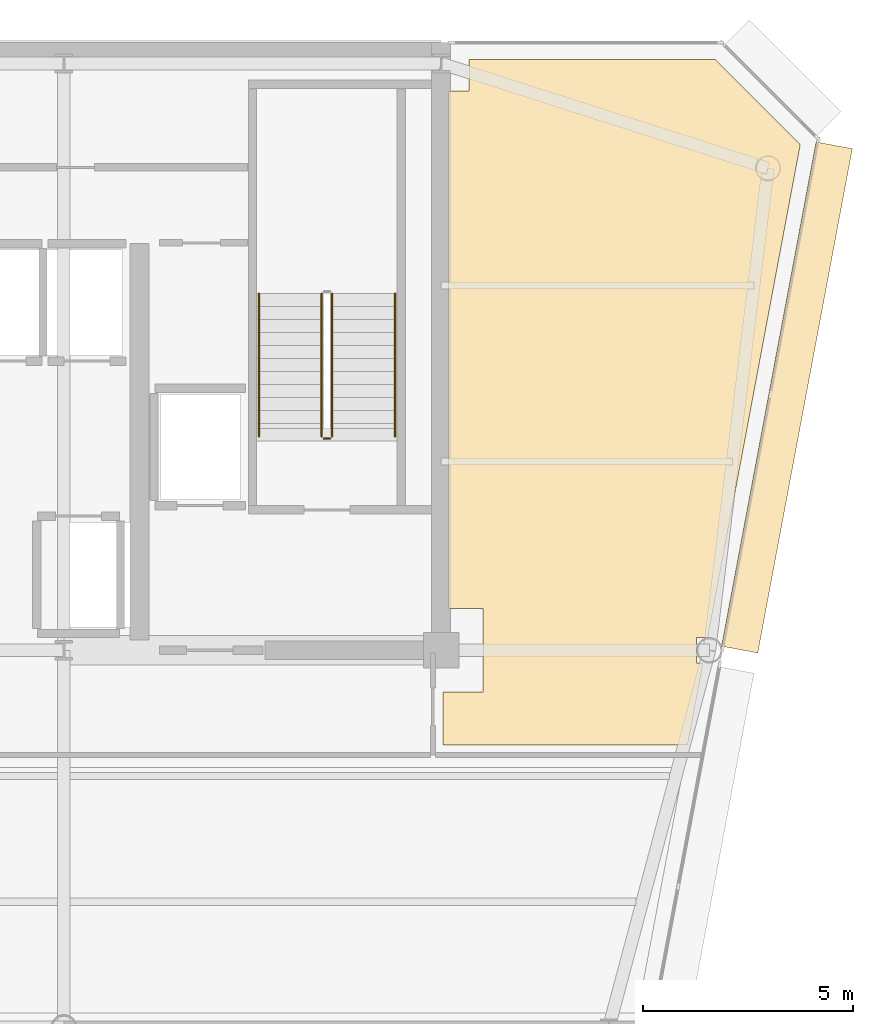
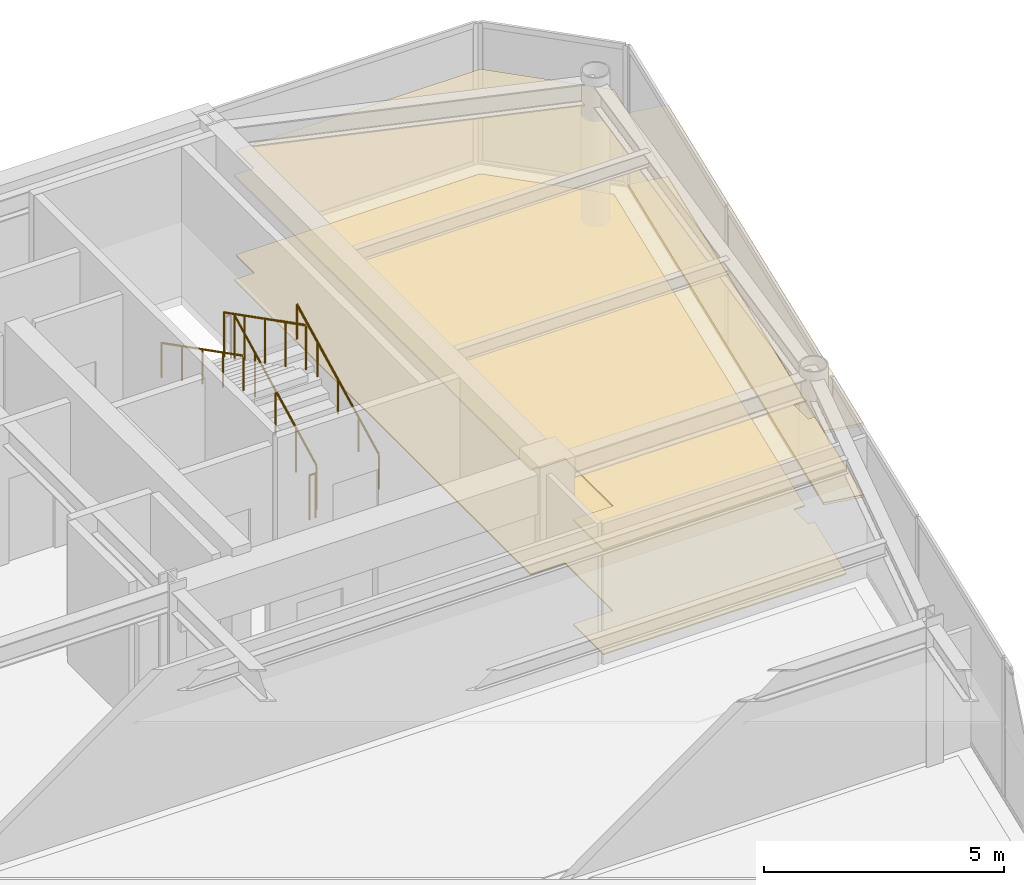
# One storey, part 17 of 20: 5 railings, 4 coverings.
"""IFC4 building model written with IfcOpenShell, lengths in metres."""

from ifc_helpers import new_model, si_unit, direction, frame, origin, origin_2d, place, context, subcontext, project, spatial, polyline, rectangle, circle, outline, extrude, source, transform, mapped, material, layer, layer_set, type_object, element, save


model = new_model("IFC4")

# Units and contexts
model_context = context("Model", 3, precision=1e-05, world=origin(), true_north=direction((0.0, 1.0)))
body_context = subcontext(model_context, "Body", "Model", "MODEL_VIEW")
ifc_project = project(units=[si_unit("LENGTHUNIT", "METRE"), si_unit("AREAUNIT", "SQUARE_METRE"), si_unit("VOLUMEUNIT", "CUBIC_METRE"), si_unit("PLANEANGLEUNIT", "RADIAN"), si_unit("MASSUNIT", "GRAM", prefix="KILO")], contexts=[model_context])

# Site, building, storey
site_placement = place(None, origin())
site = spatial("IfcSite", under=ifc_project, at=site_placement, CompositionType="ELEMENT")
building_placement = place(site_placement, origin())
building = spatial("IfcBuilding", under=site, at=building_placement, Name="Vaeldorn Concourse Tower", CompositionType="ELEMENT")
storey_placement = place(building_placement, frame((0.0, 0.0, 268.800048828125)))
storey = spatial("IfcBuildingStorey", under=building, at=storey_placement, Name="L69", CompositionType="ELEMENT", Elevation=268.800048828125)

# Coverings
ifc_material_1 = material(Name="Acoustic Mineral Fibre Board", Category="gypsum")
ifc_layer_1 = layer(ifc_material_1, 0.0400390625)
ifc_layer_set_1 = layer_set([ifc_layer_1], Name="Acoustic Mineral Fibre Board")
covering_type_1 = type_object("IfcCoveringType", Name="COV-CEIL-ACOUSTIC", PredefinedType="CEILING", material=ifc_layer_set_1)
covering_1_placement = place(storey_placement, frame((0.0, 0.0, 2.64990234375)))
element("IfcCovering", 1, at=covering_1_placement, inside=storey, type_object=covering_type_1, Name="Suspended Acoustic Ceiling L69-4", PredefinedType="CEILING", context=body_context, shape_type="SweptSolid", body=[
    extrude(outline(polyline([(54.179931640625, 49.840087890625), (54.659912109375, 49.840087890625), (54.659912109375, 50.60009765625), (60.5341796875, 50.60009765625), (62.568115234375, 48.56640625), (60.459716796875, 37.320068359375), (60.459716796875, 37.320068359375), (60.36328125, 36.804931640625), (60.094970703125, 36.804931640625), (60.094970703125, 36.195068359375), (60.248779296875, 36.195068359375), (59.88232421875, 34.239990234375), (54.0400390625, 34.239990234375), (54.0400390625, 35.5), (55.0, 35.5), (55.0, 37.5), (54.179931640625, 37.5), (54.179931640625, 49.840087890625)])), origin(), (0.0, 0.0, 1.0), 0.0400390625),
])
ifc_material_2 = material(Name="Honed Limestone Terrazzo Flooring", Category="masonry")
ifc_layer_2 = layer(ifc_material_2, 0.0400390625)
ifc_layer_set_2 = layer_set([ifc_layer_2], Name="Honed Limestone Terrazzo Flooring")
covering_type_2 = type_object("IfcCoveringType", Name="COV-FLOOR-STONE", PredefinedType="FLOORING", material=ifc_layer_set_2)
covering_2_placement = place(storey_placement, origin())
element("IfcCovering", 2, at=covering_2_placement, inside=storey, type_object=covering_type_2, Name="Floor Finish Covering L69-4", PredefinedType="FLOORING", context=body_context, shape_type="SweptSolid", body=[
    extrude(outline(polyline([(54.179931640625, 49.840087890625), (54.659912109375, 49.840087890625), (54.659912109375, 50.60009765625), (60.5341796875, 50.60009765625), (62.568115234375, 48.56640625), (60.459716796875, 37.320068359375), (60.459716796875, 37.320068359375), (60.36328125, 36.804931640625), (60.094970703125, 36.804931640625), (60.094970703125, 36.195068359375), (60.248779296875, 36.195068359375), (59.88232421875, 34.239990234375), (54.0400390625, 34.239990234375), (54.0400390625, 35.5), (55.0, 35.5), (55.0, 37.5), (54.179931640625, 37.5), (54.179931640625, 49.840087890625)])), origin(), (0.0, 0.0, 1.0), 0.030029296875),
])

# Railings
ifc_material_3 = material(Name="Anodised Bronze Aluminium", Category="aluminium")
railing_type_1 = type_object("IfcRailingType", Name="RL-STAIR-GUARD", PredefinedType="GUARDRAIL", material=ifc_material_3)
railing_1_placement = place(storey_placement, frame((51.39990234375, 41.60009765625, 0.158203125)))
element("IfcRailing", 3, at=railing_1_placement, inside=storey, type_object=railing_type_1, Name="L69 ST-2 stair guard 1", PredefinedType="GUARDRAIL", context=body_context, shape_type="SweptSolid", body=[
    extrude(circle(Radius=0.02392578125, at=origin_2d()), frame((0.0, 0.0, 1.1259765625), z_axis=(0.0, 0.890555807335, 0.454873997962), x_axis=(-1.0, 0.0, 0.0)), (0.0, 0.0, 1.0), 3.828857421875),
    extrude(circle(Radius=0.02099609375, at=origin_2d()), origin(), (0.0, 0.0, 1.0), 1.101806640625),
    extrude(circle(Radius=0.02099609375, at=origin_2d()), frame((0.0, 0.8525390625, 0.435546875)), (0.0, 0.0, 1.0), 1.101806640625),
    extrude(circle(Radius=0.02099609375, at=origin_2d()), frame((0.0, 1.705078125, 0.870849609375)), (0.0, 0.0, 1.0), 1.101806640625),
    extrude(circle(Radius=0.02099609375, at=origin_2d()), frame((0.0, 2.557373046875, 1.30615234375)), (0.0, 0.0, 1.0), 1.101806640625),
    extrude(circle(Radius=0.02099609375, at=origin_2d()), frame((0.0, 3.409912109375, 1.74169921875)), (0.0, 0.0, 1.0), 1.101806640625),
])
railing_2_placement = place(storey_placement, frame((51.14990234375, 45.010009765625, 2.058349609375)))
element("IfcRailing", 4, at=railing_2_placement, inside=storey, type_object=railing_type_1, Name="L69 ST-2 stair guard 3", PredefinedType="GUARDRAIL", context=body_context, shape_type="SweptSolid", body=[
    extrude(circle(Radius=0.02392578125, at=origin_2d()), frame((0.0, 0.0, 1.1259765625), z_axis=(0.0, -0.890555807335, 0.454873997962), x_axis=(1.0, 0.0, 0.0)), (0.0, 0.0, 1.0), 3.828857421875),
    extrude(circle(Radius=0.02099609375, at=origin_2d()), origin(), (0.0, 0.0, 1.0), 1.101806640625),
    extrude(circle(Radius=0.02099609375, at=origin_2d()), frame((0.0, -0.8525390625, 0.435546875)), (0.0, 0.0, 1.0), 1.101806640625),
    extrude(circle(Radius=0.02099609375, at=origin_2d()), frame((0.0, -1.705078125, 0.870849609375)), (0.0, 0.0, 1.0), 1.101806640625),
    extrude(circle(Radius=0.02099609375, at=origin_2d()), frame((0.0, -2.557373046875, 1.30615234375)), (0.0, 0.0, 1.0), 1.101806640625),
    extrude(circle(Radius=0.02099609375, at=origin_2d()), frame((0.0, -3.409912109375, 1.74169921875)), (0.0, 0.0, 1.0), 1.101806640625),
])
railing_3_placement = place(storey_placement, frame((51.35009765625, 41.550048828125, 0.0)))
element("IfcRailing", 5, at=railing_3_placement, inside=storey, type_object=railing_type_1, Name="L69 ST-2 stair guard 4", PredefinedType="GUARDRAIL", context=body_context, shape_type="SweptSolid", body=[
    extrude(circle(Radius=0.02392578125, at=origin_2d()), frame((0.0, 0.0, 1.1259765625), z_axis=(-1.0, 0.0, 0.0), x_axis=(0.0, -1.0, 0.0)), (0.0, 0.0, 1.0), 0.150146484375),
    extrude(circle(Radius=0.02099609375, at=origin_2d()), origin(), (0.0, 0.0, 1.0), 1.101806640625),
    extrude(circle(Radius=0.02099609375, at=origin_2d()), frame((-0.150146484375, 0.0, 0.0)), (0.0, 0.0, 1.0), 1.101806640625),
])
railing_type_2 = type_object("IfcRailingType", Name="RL-STAIR-HANDRAIL", PredefinedType="HANDRAIL", material=ifc_material_3)
railing_4_placement = place(storey_placement, frame((52.89990234375, 41.60009765625, 0.158203125)))
element("IfcRailing", 6, at=railing_4_placement, inside=storey, type_object=railing_type_2, Name="L69 ST-2 stair handrail 1", PredefinedType="HANDRAIL", context=body_context, shape_type="SweptSolid", body=[
    extrude(circle(Radius=0.02392578125, at=origin_2d()), frame((0.0, 0.0, 0.8759765625), z_axis=(0.0, 0.890555807335, 0.454873997962), x_axis=(-1.0, 0.0, 0.0)), (0.0, 0.0, 1.0), 3.828857421875),
    extrude(circle(Radius=0.02099609375, at=origin_2d()), origin(), (0.0, 0.0, 1.0), 0.851806640625),
    extrude(circle(Radius=0.02099609375, at=origin_2d()), frame((0.0, 0.8525390625, 0.435546875)), (0.0, 0.0, 1.0), 0.851806640625),
    extrude(circle(Radius=0.02099609375, at=origin_2d()), frame((0.0, 1.705078125, 0.870849609375)), (0.0, 0.0, 1.0), 0.851806640625),
    extrude(circle(Radius=0.02099609375, at=origin_2d()), frame((0.0, 2.557373046875, 1.30615234375)), (0.0, 0.0, 1.0), 0.851806640625),
    extrude(circle(Radius=0.02099609375, at=origin_2d()), frame((0.0, 3.409912109375, 1.74169921875)), (0.0, 0.0, 1.0), 0.851806640625),
])
railing_5_placement = place(storey_placement, frame((49.64990234375, 45.010009765625, 2.058349609375)))
element("IfcRailing", 7, at=railing_5_placement, inside=storey, type_object=railing_type_2, Name="L69 ST-2 stair handrail 2", PredefinedType="HANDRAIL", context=body_context, shape_type="SweptSolid", body=[
    extrude(circle(Radius=0.02392578125, at=origin_2d()), frame((0.0, 0.0, 0.8759765625), z_axis=(0.0, -0.890555807335, 0.454873997962), x_axis=(1.0, 0.0, 0.0)), (0.0, 0.0, 1.0), 3.828857421875),
    extrude(circle(Radius=0.02099609375, at=origin_2d()), origin(), (0.0, 0.0, 1.0), 0.851806640625),
    extrude(circle(Radius=0.02099609375, at=origin_2d()), frame((0.0, -0.8525390625, 0.435546875)), (0.0, 0.0, 1.0), 0.851806640625),
    extrude(circle(Radius=0.02099609375, at=origin_2d()), frame((0.0, -1.705078125, 0.870849609375)), (0.0, 0.0, 1.0), 0.851806640625),
    extrude(circle(Radius=0.02099609375, at=origin_2d()), frame((0.0, -2.557373046875, 1.30615234375)), (0.0, 0.0, 1.0), 0.851806640625),
    extrude(circle(Radius=0.02099609375, at=origin_2d()), frame((0.0, -3.409912109375, 1.74169921875)), (0.0, 0.0, 1.0), 0.851806640625),
])

# Coverings
ifc_layer_3 = layer(ifc_material_3, 0.06494140625)
ifc_layer_set_3 = layer_set([ifc_layer_3], Name="Anodised Bronze Aluminium")
covering_type_3 = type_object("IfcCoveringType", Name="SD-BRONZE-SUNSHADE", PredefinedType="USERDEFINED", material=ifc_layer_set_3)
shared_shape = source(origin(), body_context, "Body", "SweptSolid", [
    extrude(rectangle(XDim=12.241943359375, YDim=0.8798828125, at=origin_2d()), origin(), (0.0, 0.0, 1.0), 0.06494140625),
])
for number, where, z_axis, x_axis, name in (
    (8, (62.250732421875, 42.531494140625, 0.04736328125), (0.0, 0.0, 1.0), (0.1842429853, 0.98288072642, 0.0), "Horizontal Bronze Sunshade L69-E07.2.1"),
    (9, (62.250732421875, 42.531494140625, 1.867431640625), (0.0, 0.0, 1.0), (0.1842429853, 0.98288072642, 0.0), "Horizontal Bronze Sunshade L69-E07.2.2"),
):
    element("IfcCovering", number, at=place(storey_placement, frame(where, z_axis=z_axis, x_axis=x_axis)), inside=storey, type_object=covering_type_3, Name=name, ObjectType="SUNSHADE", PredefinedType="USERDEFINED", context=body_context, shape_type="MappedRepresentation", body=[
        mapped(shared_shape, transform((0.0, 0.0, 0.0), scale=1.0)),
    ])

save(model, "model.ifc")
